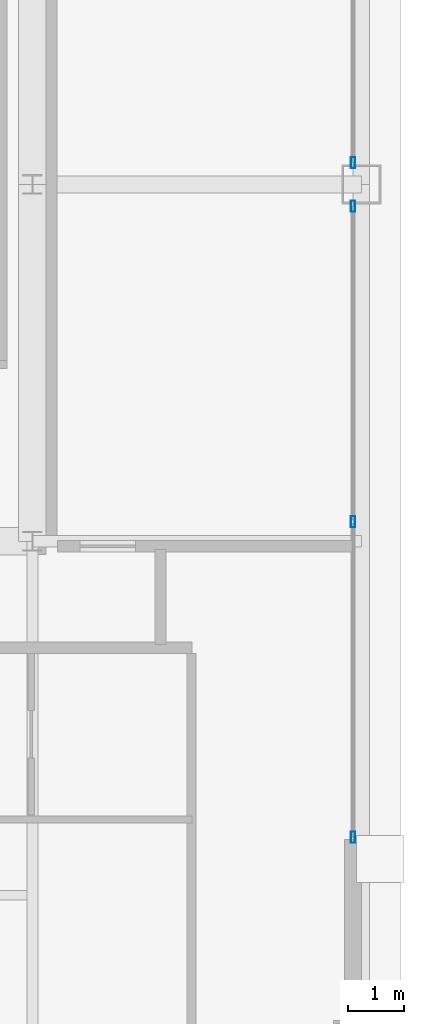
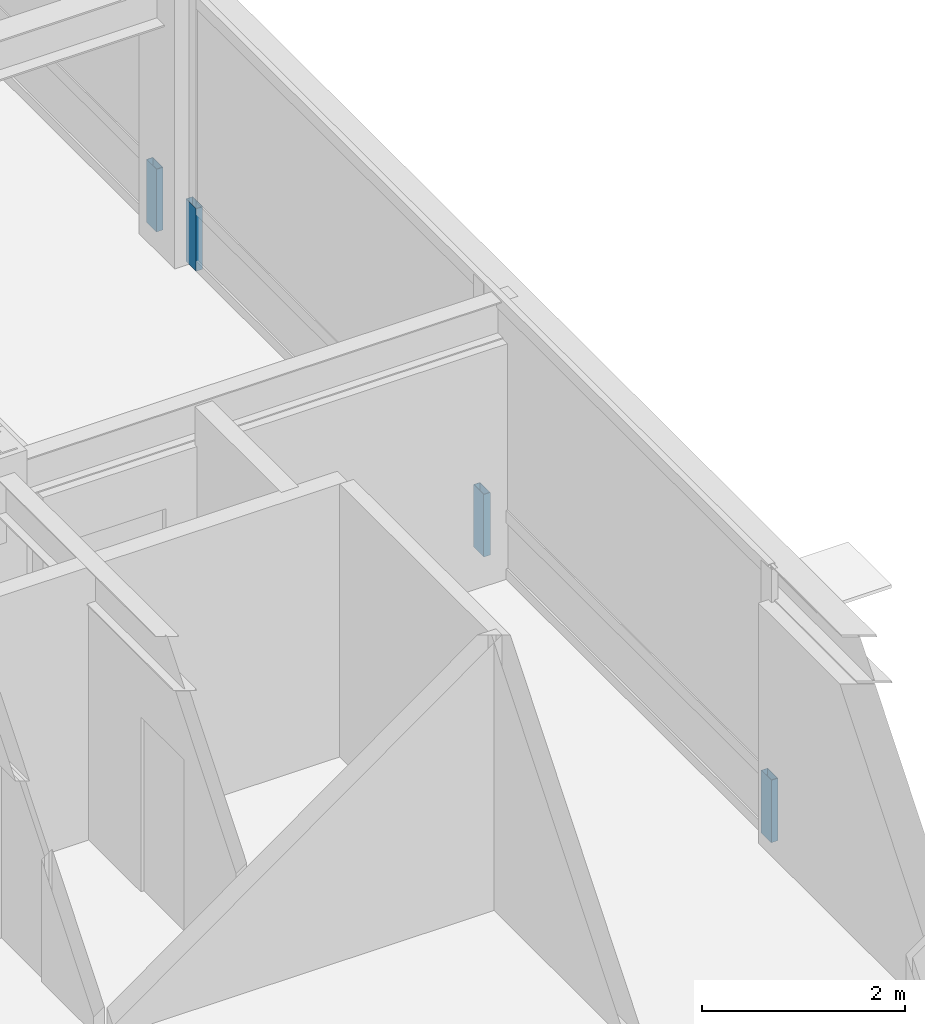
# One storey, part 25 of 35: 4 members, 2 elements without a shape of their own.
"""IFC4 building model written with IfcOpenShell, lengths in metres."""

from ifc_helpers import new_model, si_unit, direction, frame, origin, origin_2d, place, context, subcontext, project, spatial, hollow_rectangle, extrude, source, transform, mapped, material, layer, layer_set, material_profile, profile_set, type_object, element, aggregate, save


model = new_model("IFC4")

# Units and contexts
model_context = context("Model", 3, precision=1e-05, world=origin(), true_north=direction((0.0, 1.0)))
body_context = subcontext(model_context, "Body", "Model", "MODEL_VIEW")
ifc_project = project(units=[si_unit("LENGTHUNIT", "METRE"), si_unit("AREAUNIT", "SQUARE_METRE"), si_unit("VOLUMEUNIT", "CUBIC_METRE"), si_unit("PLANEANGLEUNIT", "RADIAN"), si_unit("MASSUNIT", "GRAM", prefix="KILO"), si_unit("THERMODYNAMICTEMPERATUREUNIT", "KELVIN"), si_unit("POWERUNIT", "WATT")], contexts=[model_context])

# Site, building, storey
site_placement = place(None, origin())
site = spatial("IfcSite", under=ifc_project, at=site_placement, CompositionType="ELEMENT")
building_placement = place(site_placement, origin())
building = spatial("IfcBuilding", under=site, at=building_placement, Name="Yuzanri Waterfront Tower", CompositionType="ELEMENT")
storey_placement = place(building_placement, frame((0.0, 0.0, 289.10009765625)))
storey = spatial("IfcBuildingStorey", under=building, at=storey_placement, Name="L77", CompositionType="ELEMENT", Elevation=289.10009765625)

# Curtain wall, members
ifc_material_1 = material(Name="Anodized Architectural Bronze", Category="metal")
ifc_layer = layer(ifc_material_1, 0.159912109375)
ifc_layer_set = layer_set([ifc_layer], Name="Anodized Architectural Bronze")
curtain_wall_type = type_object("IfcCurtainWallType", Name="Anodized Bronze High-Rise Penthouse High-Wind Unitized Curtain Wall 6900", PredefinedType="NOTDEFINED", material=ifc_layer_set)
curtain_wall_1_placement = place(storey_placement, origin())
curtain_wall_1 = element("IfcCurtainWall", 1, at=curtain_wall_1_placement, inside=storey, type_object=curtain_wall_type, Name="L77 Curtain Wall CW-L77-EL", PredefinedType="NOTDEFINED")
ifc_material_2 = material(Name="Anodized Architectural Bronze", Category="metal")
ifc_material_profile = material_profile(ifc_material_2, hollow_rectangle(XDim=0.074951171875, YDim=0.199951171875, WallThickness=0.00390625, at=origin_2d()), Name="CWM 75x200")
ifc_profile_set = profile_set([ifc_material_profile], Name="Anodized Architectural Bronze")
member_type = type_object("IfcMemberType", Name="Anodized Bronze Primary Curtain-Wall Mullion 75x200", PredefinedType="MULLION", material=ifc_profile_set)
shared_shape = source(origin(), body_context, "Body", "SweptSolid", [
    extrude(hollow_rectangle(XDim=0.074951171875, YDim=0.199951171875, WallThickness=0.00390625, at=origin_2d()), origin(), (0.0, 0.0, 1.0), 0.751953125),
])
member_1_placement = place(storey_placement, frame((55.949951171875, 14.090087890625, 0.0), z_axis=(0.0, 0.0, 1.0), x_axis=(1.0, 0.0, 0.0)))
member_1 = element("IfcMember", 2, at=member_1_placement, type_object=member_type, Name="CW-L77-EL Lower Mullion 00", PredefinedType="MULLION", context=body_context, shape_type="MappedRepresentation", body=[
    mapped(shared_shape, transform((0.0, 0.0, 0.0), scale=1.0)),
])
member_2_placement = place(storey_placement, frame((55.949951171875, 19.75, 0.0), z_axis=(0.0, 0.0, 1.0), x_axis=(1.0, 0.0, 0.0)))
member_2 = element("IfcMember", 3, at=member_2_placement, type_object=member_type, Name="CW-L77-EL Lower Mullion 01", PredefinedType="MULLION", context=body_context, shape_type="MappedRepresentation", body=[
    mapped(shared_shape, transform((0.0, 0.0, 0.0), scale=1.0)),
])
member_3_placement = place(storey_placement, frame((55.949951171875, 25.409912109375, 0.0), z_axis=(0.0, 0.0, 1.0), x_axis=(1.0, 0.0, 0.0)))
member_3 = element("IfcMember", 4, at=member_3_placement, type_object=member_type, Name="CW-L77-EL Lower Mullion 02", PredefinedType="MULLION", context=body_context, shape_type="MappedRepresentation", body=[
    mapped(shared_shape, transform((0.0, 0.0, 0.0), scale=1.0)),
])
aggregate(curtain_wall_1, [member_1, member_2, member_3])

# Curtain wall, member
curtain_wall_2_placement = place(storey_placement, origin())
curtain_wall_2 = element("IfcCurtainWall", 5, at=curtain_wall_2_placement, inside=storey, type_object=curtain_wall_type, Name="L77 Curtain Wall CW-L77-ER", PredefinedType="NOTDEFINED")
member_4_placement = place(storey_placement, frame((55.949951171875, 26.18994140625, 0.0), z_axis=(0.0, 0.0, 1.0), x_axis=(1.0, 0.0, 0.0)))
member_4 = element("IfcMember", 6, at=member_4_placement, type_object=member_type, Name="CW-L77-ER Lower Mullion 00", PredefinedType="MULLION", context=body_context, shape_type="MappedRepresentation", body=[
    mapped(shared_shape, transform((0.0, 0.0, 0.0), scale=1.0)),
])
aggregate(curtain_wall_2, [member_4])

save(model, "model.ifc")
